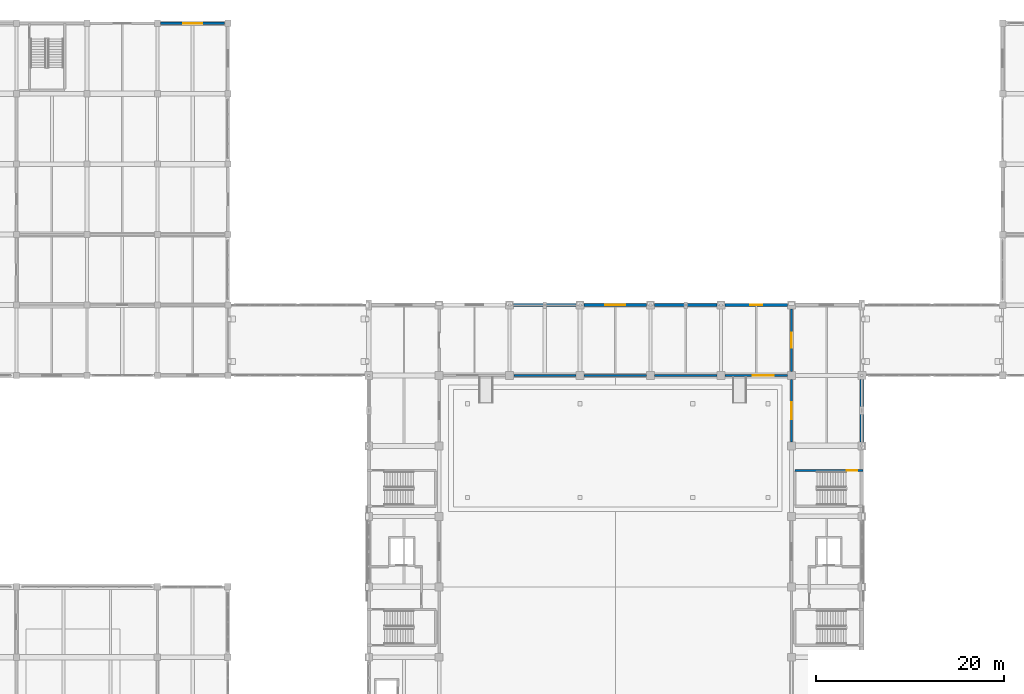
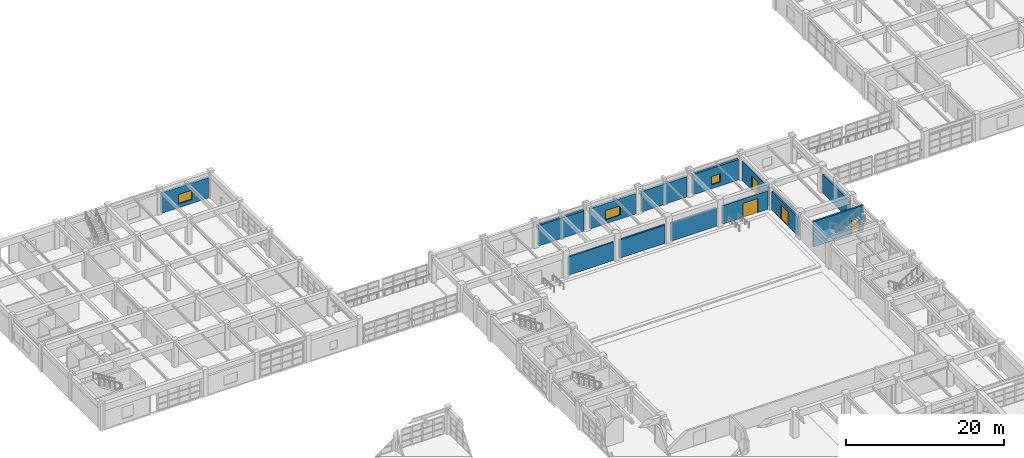
# One storey, part 105 of 132: 13 walls, 4 doors, 3 windows, 7 openings.
"""IFC4 building model written with IfcOpenShell, lengths in metres."""

from ifc_helpers import new_model, si_unit, direction, frame, frame_2d, origin, place, context, subcontext, project, spatial, rectangle, extrude, material, layer, layer_set, type_object, element, fill, save


model = new_model("IFC4")

# Units and contexts
model_context = context("Model", 3, precision=1e-05, world=origin(), true_north=direction((0.0, 1.0)))
body_context = subcontext(model_context, "Body", "Model", "MODEL_VIEW")
ifc_project = project(units=[si_unit("LENGTHUNIT", "METRE"), si_unit("AREAUNIT", "SQUARE_METRE"), si_unit("VOLUMEUNIT", "CUBIC_METRE"), si_unit("PLANEANGLEUNIT", "RADIAN"), si_unit("MASSUNIT", "GRAM", prefix="KILO")], contexts=[model_context])

# Site, building, storey
site_placement = place(None, origin())
site = spatial("IfcSite", under=ifc_project, at=site_placement, CompositionType="ELEMENT")
building_placement = place(site_placement, origin())
building = spatial("IfcBuilding", under=site, at=building_placement, Name="Qasida Concert Hall", CompositionType="ELEMENT")
storey_placement = place(building_placement, frame((0.0, 0.0, 4.800048828125)))
storey = spatial("IfcBuildingStorey", under=building, at=storey_placement, Name="L01", CompositionType="ELEMENT", Elevation=4.800048828125)

# Wall, opening, door
ifc_material_1 = material(Name="Concrete C40/50", Category="concrete")
ifc_layer_1 = layer(ifc_material_1, 0.25, Name="Concrete C40/50")
ifc_layer_set_1 = layer_set([ifc_layer_1], Name="Concrete C40/50")
wall_type_1 = type_object("IfcWallType", Name="WL-CW-250", PredefinedType="SOLIDWALL", material=ifc_layer_set_1)
wall_1_placement = place(storey_placement, frame((97.860107421875, 64.885009765625, 0.0), z_axis=(0.0, 0.0, 1.0), x_axis=(1.0, 0.0, 0.0)))
wall_1 = element("IfcWall", 1, at=wall_1_placement, inside=storey, type_object=wall_type_1, Name="L01 ST-12 stairwell wall N", PredefinedType="SOLIDWALL", context=body_context, shape_type="SweptSolid", body=[
    extrude(rectangle(XDim=7.260009765625, YDim=0.25, at=frame_2d((3.6298828125, 0.0))), origin(), (0.0, 0.0, 1.0), 3.919921875),
])
opening_1_placement = place(wall_1_placement, frame((5.5400390625, 0.0, 0.0)))
opening_1 = element("IfcOpeningElement", 2, at=opening_1_placement, cuts=wall_1, Name="Opening FD-110", PredefinedType="OPENING", context=body_context, shape_type="SweptSolid", body=[
    extrude(rectangle(XDim=1.10009765625, YDim=2.14990234375, at=frame_2d((0.550048828125, 1.074951171875))), frame((0.0, 0.135009765625, 0.0), z_axis=(0.0, -1.0, 0.0), x_axis=(1.0, 0.0, 0.0)), (0.0, 0.0, 1.0), 0.27001953125),
])
ifc_material_2 = material(Name="Steel fire-rated stair/lobby door set", Category="steel")
door_type_1 = type_object("IfcDoorType", Name="FD-110", OperationType="NOTDEFINED", PredefinedType="DOOR", material=ifc_material_2)
door_1_placement = place(opening_1_placement, frame((1.10009765625, 0.0, 0.0), z_axis=(0.0, 0.0, 1.0), x_axis=(-1.0, 0.0, 0.0)))
door_1 = element("IfcDoor", 3, at=door_1_placement, inside=storey, type_object=door_type_1, Name="L01 ST-12 rated stair door", OperationType="SINGLE_SWING_RIGHT", OverallHeight=2.14990234375, OverallWidth=1.10009765625, PredefinedType="DOOR", context=body_context, shape_type="SweptSolid", body=[
    extrude(rectangle(XDim=1.10009765625, YDim=2.14990234375, at=frame_2d((0.550048828125, 1.074951171875))), frame((0.0, 0.02490234375, 0.0), z_axis=(0.0, -1.0, 0.0), x_axis=(1.0, 0.0, 0.0)), (0.0, 0.0, 1.0), 0.050048828125),
])
fill(opening_1, door_1)

# Wall, opening, window
ifc_material_3 = material(Name="Precast concrete C40/50", Category="concrete")
ifc_layer_2 = layer(ifc_material_3, 0.300048828125, Name="Precast concrete C40/50")
ifc_layer_set_2 = layer_set([ifc_layer_2], Name="Precast concrete C40/50")
wall_type_2 = type_object("IfcWallType", Name="WL-EW-300", PredefinedType="SOLIDWALL", material=ifc_layer_set_2)
wall_2_placement = place(storey_placement, frame((30.3349609375, 112.5, 0.0), z_axis=(0.0, 0.0, 1.0), x_axis=(1.0, 0.0, 0.0)))
wall_2 = element("IfcWall", 4, at=wall_2_placement, inside=storey, type_object=wall_type_2, Name="L01 exterior wall EW-300 0250", PredefinedType="SOLIDWALL", context=body_context, shape_type="SweptSolid", body=[
    extrude(rectangle(XDim=6.830078125, YDim=0.300048828125, at=frame_2d((3.4150390625, 0.0))), origin(), (0.0, 0.0, 1.0), 3.139892578125),
])
opening_2_placement = place(wall_2_placement, frame((2.4150390625, 0.0, 0.60009765625)))
opening_2 = element("IfcOpeningElement", 5, at=opening_2_placement, cuts=wall_2, Name="Opening WN-07", PredefinedType="OPENING", context=body_context, shape_type="SweptSolid", body=[
    extrude(rectangle(XDim=2.0, YDim=1.449951171875, at=frame_2d((1.0, 0.72509765625))), frame((0.0, 0.159912109375, 0.0), z_axis=(0.0, -1.0, 0.0), x_axis=(1.0, 0.0, 0.0)), (0.0, 0.0, 1.0), 0.320068359375),
])
ifc_material_4 = material(Name="Bronze-anodized aluminium frame with acoustic low-E glazing", Category="aluminium")
window_type_1 = type_object("IfcWindowType", Name="WN-07", PartitioningType="SINGLE_PANEL", PredefinedType="WINDOW", material=ifc_material_4)
window_1_placement = place(opening_2_placement, origin())
window_1 = element("IfcWindow", 6, at=window_1_placement, inside=storey, type_object=window_type_1, Name="L01 window WN-07 0127", OverallHeight=1.449951171875, OverallWidth=2.0, PartitioningType="SINGLE_PANEL", PredefinedType="WINDOW", context=body_context, shape_type="SweptSolid", body=[
    extrude(rectangle(XDim=2.0, YDim=1.449951171875, at=frame_2d((1.0, 0.72509765625))), frame((0.0, 0.030029296875, 0.0), z_axis=(0.0, -1.0, 0.0), x_axis=(1.0, 0.0, 0.0)), (0.0, 0.0, 1.0), 0.06005859375),
])
fill(opening_2, window_1)

# Walls
ifc_layer_3 = layer(ifc_material_3, 0.340087890625, Name="Precast concrete C40/50")
ifc_layer_set_3 = layer_set([ifc_layer_3], Name="Precast concrete C40/50")
wall_type_3 = type_object("IfcWallType", Name="WL-EW-340", PredefinedType="SOLIDWALL", material=ifc_layer_set_3)
wall_3_placement = place(storey_placement, frame((105.0, 67.93505859375, 0.0), z_axis=(0.0, 0.0, 1.0), x_axis=(0.0, 1.0, 0.0)))
element("IfcWall", 7, at=wall_3_placement, inside=storey, type_object=wall_type_3, Name="L01 exterior wall EW-340 0038", PredefinedType="SOLIDWALL", context=body_context, shape_type="SweptSolid", body=[
    extrude(rectangle(XDim=6.6298828125, YDim=0.340087890625, at=frame_2d((3.31494140625, 0.0))), origin(), (0.0, 0.0, 1.0), 2.83984375),
])
wall_4_placement = place(storey_placement, frame((67.93505859375, 82.5, 0.0), z_axis=(0.0, 0.0, 1.0), x_axis=(1.0, 0.0, 0.0)))
element("IfcWall", 8, at=wall_4_placement, inside=storey, type_object=wall_type_3, Name="L01 exterior wall EW-340 0041", PredefinedType="SOLIDWALL", context=body_context, shape_type="SweptSolid", body=[
    extrude(rectangle(XDim=6.6298828125, YDim=0.340087890625, at=frame_2d((3.31494140625, 0.0))), origin(), (0.0, 0.0, 1.0), 3.139892578125),
])

# Wall, opening, window
wall_5_placement = place(storey_placement, frame((75.43505859375, 82.5, 0.0), z_axis=(0.0, 0.0, 1.0), x_axis=(1.0, 0.0, 0.0)))
wall_5 = element("IfcWall", 9, at=wall_5_placement, inside=storey, type_object=wall_type_3, Name="L01 exterior wall EW-340 0042", PredefinedType="SOLIDWALL", context=body_context, shape_type="SweptSolid", body=[
    extrude(rectangle(XDim=6.6298828125, YDim=0.340087890625, at=frame_2d((3.31494140625, 0.0))), origin(), (0.0, 0.0, 1.0), 3.139892578125),
])
opening_3_placement = place(wall_5_placement, frame((2.239990234375, 0.0, 0.60009765625)))
opening_3 = element("IfcOpeningElement", 10, at=opening_3_placement, cuts=wall_5, Name="Opening WN-08", PredefinedType="OPENING", context=body_context, shape_type="SweptSolid", body=[
    extrude(rectangle(XDim=2.14990234375, YDim=1.449951171875, at=frame_2d((1.074951171875, 0.72509765625))), frame((0.0, 0.179931640625, 0.0), z_axis=(0.0, -1.0, 0.0), x_axis=(1.0, 0.0, 0.0)), (0.0, 0.0, 1.0), 0.360107421875),
])
window_type_2 = type_object("IfcWindowType", Name="WN-08", PartitioningType="SINGLE_PANEL", PredefinedType="WINDOW", material=ifc_material_4)
window_2_placement = place(opening_3_placement, origin())
window_2 = element("IfcWindow", 11, at=window_2_placement, inside=storey, type_object=window_type_2, Name="L01 window WN-08 0012", OverallHeight=1.449951171875, OverallWidth=2.14990234375, PartitioningType="SINGLE_PANEL", PredefinedType="WINDOW", context=body_context, shape_type="SweptSolid", body=[
    extrude(rectangle(XDim=2.14990234375, YDim=1.449951171875, at=frame_2d((1.074951171875, 0.72509765625))), frame((0.0, 0.030029296875, 0.0), z_axis=(0.0, -1.0, 0.0), x_axis=(1.0, 0.0, 0.0)), (0.0, 0.0, 1.0), 0.06005859375),
])
fill(opening_3, window_2)

# Wall
wall_6_placement = place(storey_placement, frame((82.93505859375, 82.5, 0.0), z_axis=(0.0, 0.0, 1.0), x_axis=(1.0, 0.0, 0.0)))
element("IfcWall", 12, at=wall_6_placement, inside=storey, type_object=wall_type_3, Name="L01 exterior wall EW-340 0043", PredefinedType="SOLIDWALL", context=body_context, shape_type="SweptSolid", body=[
    extrude(rectangle(XDim=6.6298828125, YDim=0.340087890625, at=frame_2d((3.31494140625, 0.0))), origin(), (0.0, 0.0, 1.0), 3.139892578125),
])

# Wall, opening, window
wall_7_placement = place(storey_placement, frame((90.43505859375, 82.5, 0.0), z_axis=(0.0, 0.0, 1.0), x_axis=(1.0, 0.0, 0.0)))
wall_7 = element("IfcWall", 13, at=wall_7_placement, inside=storey, type_object=wall_type_3, Name="L01 exterior wall EW-340 0044", PredefinedType="SOLIDWALL", context=body_context, shape_type="SweptSolid", body=[
    extrude(rectangle(XDim=6.6298828125, YDim=0.340087890625, at=frame_2d((3.31494140625, 0.0))), origin(), (0.0, 0.0, 1.0), 3.139892578125),
])
opening_4_placement = place(wall_7_placement, frame((2.6650390625, 0.0, 0.60009765625)))
opening_4 = element("IfcOpeningElement", 14, at=opening_4_placement, cuts=wall_7, Name="Opening WN-10", PredefinedType="OPENING", context=body_context, shape_type="SweptSolid", body=[
    extrude(rectangle(XDim=1.300048828125, YDim=1.300048828125, at=frame_2d((0.64990234375, 0.64990234375))), frame((0.0, 0.179931640625, 0.0), z_axis=(0.0, -1.0, 0.0), x_axis=(1.0, 0.0, 0.0)), (0.0, 0.0, 1.0), 0.360107421875),
])
window_type_3 = type_object("IfcWindowType", Name="WN-10", PartitioningType="SINGLE_PANEL", PredefinedType="WINDOW", material=ifc_material_4)
window_3_placement = place(opening_4_placement, origin())
window_3 = element("IfcWindow", 15, at=window_3_placement, inside=storey, type_object=window_type_3, Name="L01 window WN-10 0013", OverallHeight=1.300048828125, OverallWidth=1.300048828125, PartitioningType="SINGLE_PANEL", PredefinedType="WINDOW", context=body_context, shape_type="SweptSolid", body=[
    extrude(rectangle(XDim=1.300048828125, YDim=1.300048828125, at=frame_2d((0.64990234375, 0.64990234375))), frame((0.0, 0.030029296875, 0.0), z_axis=(0.0, -1.0, 0.0), x_axis=(1.0, 0.0, 0.0)), (0.0, 0.0, 1.0), 0.06005859375),
])
fill(opening_4, window_3)

# Walls
ifc_material_5 = material(Name="Double-stud acoustic gypsum and mineral wool", Category="gypsum")
ifc_layer_4 = layer(ifc_material_5, 0.239990234375, Name="Double-stud acoustic gypsum and mineral wool")
ifc_layer_set_4 = layer_set([ifc_layer_4], Name="Double-stud acoustic gypsum and mineral wool")
wall_type_4 = type_object("IfcWallType", Name="WL-PW-240", PredefinedType="PARTITIONING", material=ifc_layer_set_4)
for number, where, z_axis, x_axis, name in (
    (16, (67.93896484375, 75.0, 0.0), (0.0, 0.0, 1.0), (1.0, 0.0, 0.0), "L01 partition PW-240 0441"),
    (17, (75.43896484375, 75.0, 0.0), (0.0, 0.0, 1.0), (1.0, 0.0, 0.0), "L01 partition PW-240 0442"),
    (18, (82.93896484375, 75.0, 0.0), (0.0, 0.0, 1.0), (1.0, 0.0, 0.0), "L01 partition PW-240 0443"),
):
    element("IfcWall", number, at=place(storey_placement, frame(where, z_axis=z_axis, x_axis=x_axis)), inside=storey, type_object=wall_type_4, Name=name, PredefinedType="PARTITIONING", context=body_context, shape_type="SweptSolid", body=[
        extrude(rectangle(XDim=6.6220703125, YDim=0.239990234375, at=frame_2d((3.31103515625, 0.0))), origin(), (0.0, 0.0, 1.0), 2.83984375),
    ])

# Wall, opening, door
wall_8_placement = place(storey_placement, frame((90.43896484375, 75.0, 0.0), z_axis=(0.0, 0.0, 1.0), x_axis=(1.0, 0.0, 0.0)))
wall_8 = element("IfcWall", 19, at=wall_8_placement, inside=storey, type_object=wall_type_4, Name="L01 partition PW-240 0444", PredefinedType="PARTITIONING", context=body_context, shape_type="SweptSolid", body=[
    extrude(rectangle(XDim=6.6220703125, YDim=0.239990234375, at=frame_2d((3.31103515625, 0.0))), origin(), (0.0, 0.0, 1.0), 2.83984375),
])
opening_5_placement = place(wall_8_placement, frame((2.9609375, 0.0, 0.0)))
opening_5 = element("IfcOpeningElement", 20, at=opening_5_placement, cuts=wall_8, Name="Opening AD-220", PredefinedType="OPENING", context=body_context, shape_type="SweptSolid", body=[
    extrude(rectangle(XDim=2.199951171875, YDim=2.179931640625, at=frame_2d((1.10009765625, 1.08984375))), frame((0.0, 0.1298828125, 0.0), z_axis=(0.0, -1.0, 0.0), x_axis=(1.0, 0.0, 0.0)), (0.0, 0.0, 1.0), 0.260009765625),
])
ifc_material_6 = material(Name="Stage piano crossover double acoustic door", Category="wood")
door_type_2 = type_object("IfcDoorType", Name="AD-220", OperationType="NOTDEFINED", PredefinedType="DOOR", material=ifc_material_6)
door_2_placement = place(opening_5_placement, origin())
door_2 = element("IfcDoor", 21, at=door_2_placement, inside=storey, type_object=door_type_2, Name="L01 Stage piano east crossover door", OperationType="SINGLE_SWING_LEFT", OverallHeight=2.179931640625, OverallWidth=2.199951171875, PredefinedType="DOOR", context=body_context, shape_type="SweptSolid", body=[
    extrude(rectangle(XDim=2.199951171875, YDim=2.179931640625, at=frame_2d((1.10009765625, 1.08984375))), frame((0.0, 0.02490234375, 0.0), z_axis=(0.0, -1.0, 0.0), x_axis=(1.0, 0.0, 0.0)), (0.0, 0.0, 1.0), 0.050048828125),
])
fill(opening_5, door_2)

wall_9_placement = place(storey_placement, frame((97.5, 67.93896484375, 0.0), z_axis=(0.0, 0.0, 1.0), x_axis=(0.0, 1.0, 0.0)))
wall_9 = element("IfcWall", 22, at=wall_9_placement, inside=storey, type_object=wall_type_4, Name="L01 partition PW-240 0457", PredefinedType="PARTITIONING", context=body_context, shape_type="SweptSolid", body=[
    extrude(rectangle(XDim=6.6220703125, YDim=0.239990234375, at=frame_2d((3.31103515625, 0.0))), origin(), (0.0, 0.0, 1.0), 2.83984375),
])
opening_6_placement = place(wall_9_placement, frame((2.410888671875, 0.0, 0.0)))
opening_6 = element("IfcOpeningElement", 23, at=opening_6_placement, cuts=wall_9, Name="Opening AD-180", PredefinedType="OPENING", context=body_context, shape_type="SweptSolid", body=[
    extrude(rectangle(XDim=1.800048828125, YDim=2.159912109375, at=frame_2d((0.89990234375, 1.080078125))), frame((0.0, 0.1298828125, 0.0), z_axis=(0.0, -1.0, 0.0), x_axis=(1.0, 0.0, 0.0)), (0.0, 0.0, 1.0), 0.260009765625),
])
ifc_material_7 = material(Name="Double-seal Rw 52 dB auditorium vomitory door", Category="wood")
door_type_3 = type_object("IfcDoorType", Name="AD-180", OperationType="NOTDEFINED", PredefinedType="DOOR", material=ifc_material_7)
door_3_placement = place(opening_6_placement, origin())
door_3 = element("IfcDoor", 24, at=door_3_placement, inside=storey, type_object=door_type_3, Name="L01 Concert stage east door", OperationType="SINGLE_SWING_RIGHT", OverallHeight=2.159912109375, OverallWidth=1.800048828125, PredefinedType="DOOR", context=body_context, shape_type="SweptSolid", body=[
    extrude(rectangle(XDim=1.800048828125, YDim=2.159912109375, at=frame_2d((0.89990234375, 1.080078125))), frame((0.0, 0.02490234375, 0.0), z_axis=(0.0, -1.0, 0.0), x_axis=(1.0, 0.0, 0.0)), (0.0, 0.0, 1.0), 0.050048828125),
])
fill(opening_6, door_3)

wall_10_placement = place(storey_placement, frame((97.5, 75.43896484375, 0.0), z_axis=(0.0, 0.0, 1.0), x_axis=(0.0, 1.0, 0.0)))
wall_10 = element("IfcWall", 25, at=wall_10_placement, inside=storey, type_object=wall_type_4, Name="L01 partition PW-240 0458", PredefinedType="PARTITIONING", context=body_context, shape_type="SweptSolid", body=[
    extrude(rectangle(XDim=6.6220703125, YDim=0.239990234375, at=frame_2d((3.31103515625, 0.0))), origin(), (0.0, 0.0, 1.0), 2.93994140625),
])
opening_7_placement = place(wall_10_placement, frame((2.510986328125, 0.0, 0.0)))
opening_7 = element("IfcOpeningElement", 26, at=opening_7_placement, cuts=wall_10, Name="Opening FD-160", PredefinedType="OPENING", context=body_context, shape_type="SweptSolid", body=[
    extrude(rectangle(XDim=1.60009765625, YDim=2.14990234375, at=frame_2d((0.800048828125, 1.074951171875))), frame((0.0, 0.1298828125, 0.0), z_axis=(0.0, -1.0, 0.0), x_axis=(1.0, 0.0, 0.0)), (0.0, 0.0, 1.0), 0.260009765625),
])
ifc_material_8 = material(Name="Double-leaf acoustic fire door", Category="steel")
door_type_4 = type_object("IfcDoorType", Name="FD-160", OperationType="NOTDEFINED", PredefinedType="DOOR", material=ifc_material_8)
door_4_placement = place(opening_7_placement, origin())
door_4 = element("IfcDoor", 27, at=door_4_placement, inside=storey, type_object=door_type_4, Name="L01 Backstage organ room east door", OperationType="SINGLE_SWING_LEFT", OverallHeight=2.14990234375, OverallWidth=1.60009765625, PredefinedType="DOOR", context=body_context, shape_type="SweptSolid", body=[
    extrude(rectangle(XDim=1.60009765625, YDim=2.14990234375, at=frame_2d((0.800048828125, 1.074951171875))), frame((0.0, 0.02490234375, 0.0), z_axis=(0.0, -1.0, 0.0), x_axis=(1.0, 0.0, 0.0)), (0.0, 0.0, 1.0), 0.050048828125),
])
fill(opening_7, door_4)

save(model, "model.ifc")
